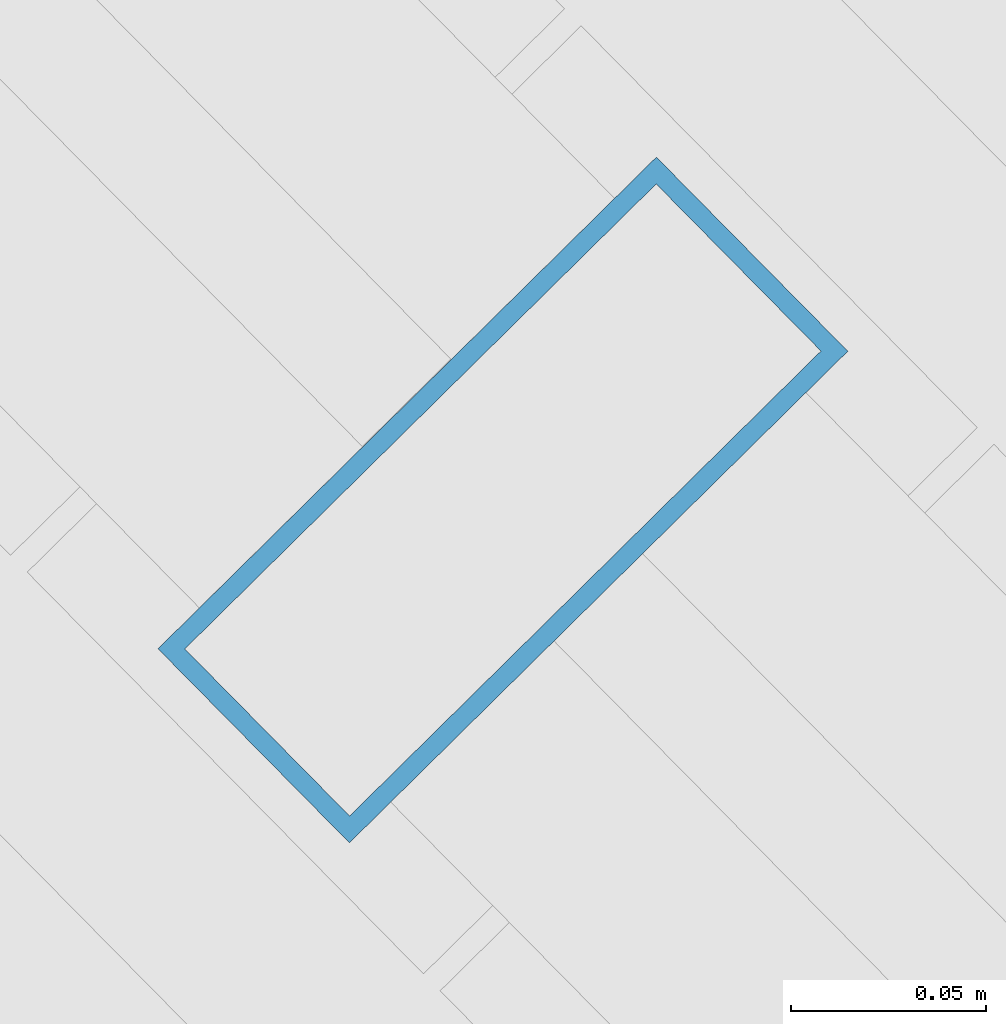
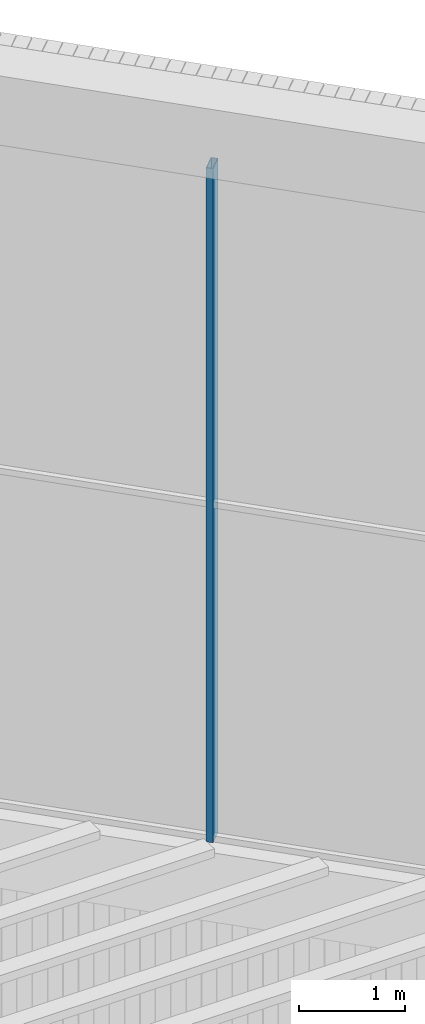
# One storey, part 77 of 117: 1 member, 1 element without a shape of its own.
"""IFC4 building model written with IfcOpenShell, lengths in metres."""

from ifc_helpers import new_model, si_unit, direction, frame, origin, origin_2d, place, context, subcontext, project, spatial, hollow_rectangle, extrude, material, layer, layer_set, material_profile, profile_set, type_object, element, aggregate, save


model = new_model("IFC4")

# Units and contexts
model_context = context("Model", 3, precision=1e-05, world=origin(), true_north=direction((0.0, 1.0)))
body_context = subcontext(model_context, "Body", "Model", "MODEL_VIEW")
ifc_project = project(units=[si_unit("LENGTHUNIT", "METRE"), si_unit("AREAUNIT", "SQUARE_METRE"), si_unit("VOLUMEUNIT", "CUBIC_METRE"), si_unit("PLANEANGLEUNIT", "RADIAN"), si_unit("MASSUNIT", "GRAM", prefix="KILO")], contexts=[model_context])

# Site, building, storey
site_placement = place(None, origin())
site = spatial("IfcSite", under=ifc_project, at=site_placement, CompositionType="ELEMENT")
building_placement = place(site_placement, origin())
building = spatial("IfcBuilding", under=site, at=building_placement, Name="Tarsis Ring Headquarters", CompositionType="ELEMENT")
storey_placement = place(building_placement, frame((0.0, 0.0, 403.60009765625)))
storey = spatial("IfcBuildingStorey", under=building, at=storey_placement, Name="L95", CompositionType="ELEMENT", Elevation=403.60009765625)

# Curtain wall, member
ifc_material_1 = material(Name="Aluminium curtain wall", Category="aluminium")
ifc_layer = layer(ifc_material_1, 0.179931640625)
ifc_layer_set = layer_set([ifc_layer], Name="Curtain wall crown glazing")
curtain_wall_type = type_object("IfcCurtainWallType", Name="Curtain wall crown glazing", PredefinedType="NOTDEFINED", material=ifc_layer_set)
curtain_wall_placement = place(storey_placement, origin())
curtain_wall = element("IfcCurtainWall", 1, at=curtain_wall_placement, inside=storey, type_object=curtain_wall_type, Name="Crown glazing U8", PredefinedType="NOTDEFINED")
ifc_material_2 = material(Name="Aluminium mullion", Category="aluminium")
ifc_material_profile = material_profile(ifc_material_2, hollow_rectangle(XDim=0.179931640625, YDim=0.070068359375, WallThickness=0.0048828125, at=origin_2d()), Name="RHS 180x70x5")
ifc_profile_set = profile_set([ifc_material_profile], Name="Aluminium mullion")
member_type = type_object("IfcMemberType", Name="Crown glazing mullion RHS 180x70x5", PredefinedType="MULLION", material=ifc_profile_set)
member_placement = place(storey_placement, frame((20.21630859375, 19.940185546875, 14.39990234375), z_axis=(0.0, 0.0, 1.0), x_axis=(-0.711949304899, -0.70223086464, 0.0)))
member = element("IfcMember", 2, at=member_placement, type_object=member_type, Name="CW-C mullion 3", PredefinedType="MULLION", context=body_context, shape_type="SweptSolid", body=[
    extrude(hollow_rectangle(XDim=0.179931640625, YDim=0.070068359375, WallThickness=0.0048828125, at=origin_2d()), origin(), (0.0, 0.0, 1.0), 7.800048828125),
])
aggregate(curtain_wall, [member])

save(model, "model.ifc")
